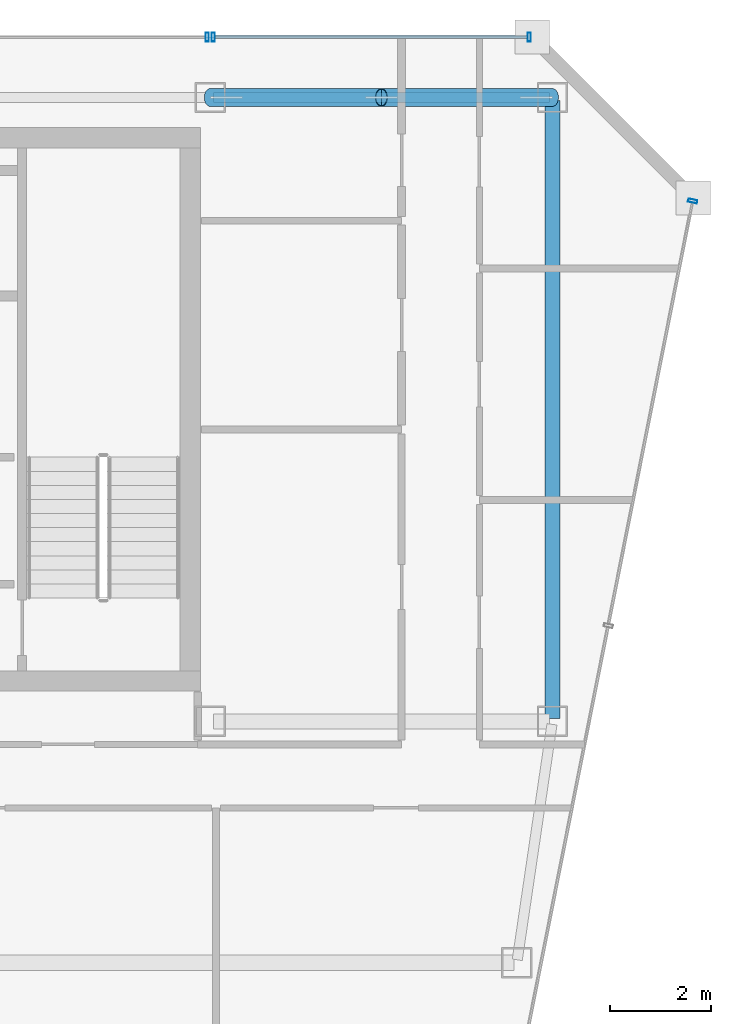
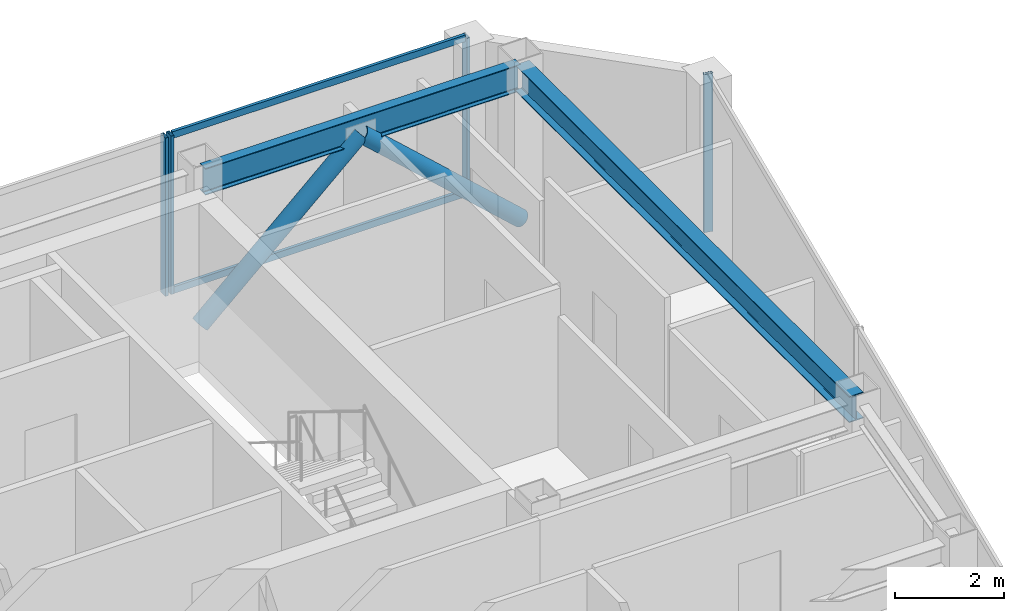
# One storey, part 16 of 24: 8 members, 2 beams, 3 elements without a shape of their own.
"""IFC4 building model written with IfcOpenShell, lengths in metres."""

import ifcopenshell
import ifcopenshell.guid

model = None  # the IFC model being written
_history = None  # IfcOwnerHistory: only IFC2X3 demands one
_inside = {}  # id of a spatial element -> (the spatial element, [elements in it])
_under = {}  # id of a project, library or spatial element -> (it, [spatial elements below it])
_declared = {}  # id of a project -> (the project, [libraries it declares])
_typed = {}  # id of a type object -> (the type object, [elements of that type])
_made_of = {}  # id of a material, layer set ... -> (it, [elements and type objects made of it])


def new_model(schema):
    """Start an empty IFC model of exactly this schema.

    Asked for "IFC4X3", IfcOpenShell would pick the latest addendum, in which some entities
    have other attributes; the version numbers below select the first issue.
    IFC2X3 requires an IfcOwnerHistory on every rooted entity: one is made here for all.
    """
    global model, _history
    if schema == "IFC4X3":
        model = ifcopenshell.file(schema_version=(4, 3, 0, 0))
    else:
        model = ifcopenshell.file(schema=schema)
    _inside.clear()
    _under.clear()
    _declared.clear()
    _typed.clear()
    _made_of.clear()
    _history = None
    if model.schema == "IFC2X3":
        org = make("IfcOrganization", Name="unknown")
        user = make(
            "IfcPersonAndOrganization",
            ThePerson=make("IfcPerson", FamilyName="unknown"),
            TheOrganization=org,
        )
        app = make(
            "IfcApplication",
            ApplicationDeveloper=org,
            Version="unknown",
            ApplicationFullName="unknown",
            ApplicationIdentifier="unknown",
        )
        _history = make(
            "IfcOwnerHistory",
            OwningUser=user,
            OwningApplication=app,
            ChangeAction="ADDED",
            CreationDate=0,
        )
    return model


def make(cls, **values):
    """One entity of the class cls with the attributes given. An attribute that is None is left unset."""
    return model.create_entity(
        cls, **{name: value for name, value in values.items() if value is not None}
    )


def rooted(cls, **values):
    """An entity with a GlobalId (a new one), such as an element, a storey or a relation."""
    return make(cls, GlobalId=ifcopenshell.guid.new(), OwnerHistory=_history, **values)


def si_unit(unit_type, name, prefix=None):
    """IfcSIUnit, for example si_unit("LENGTHUNIT", "METRE", prefix="MILLI")."""
    return make("IfcSIUnit", UnitType=unit_type, Prefix=prefix, Name=name)


def assignment(units):
    """IfcUnitAssignment: the units of a project."""
    return None if units is None else make("IfcUnitAssignment", Units=units)


def point(xyz):
    """IfcCartesianPoint."""
    return None if xyz is None else make("IfcCartesianPoint", Coordinates=xyz)


def direction(xyz):
    """IfcDirection."""
    return None if xyz is None else make("IfcDirection", DirectionRatios=xyz)


def frame(location, z_axis=None, x_axis=None):
    """IfcAxis2Placement3D, a coordinate frame: its origin and axes. An axis left out is left unset."""
    return make(
        "IfcAxis2Placement3D",
        Location=point(location),
        Axis=direction(z_axis),
        RefDirection=direction(x_axis),
    )


def frame_2d(location, x_axis=None):
    """IfcAxis2Placement2D, a coordinate frame in the plane: its origin and x axis."""
    return make(
        "IfcAxis2Placement2D", Location=point(location), RefDirection=direction(x_axis)
    )


def origin():
    """The frame at (0, 0, 0) with its axes left unset."""
    return frame((0.0, 0.0, 0.0))


def origin_2d():
    """The frame at (0, 0) in the plane with its x axis left unset."""
    return frame_2d((0.0, 0.0))


def place(relative_to, where):
    """IfcLocalPlacement: puts the frame where relative to a parent placement (None: the world)."""
    return make(
        "IfcLocalPlacement", PlacementRelTo=relative_to, RelativePlacement=where
    )


def context(
    kind, dimensions, precision=None, world=None, true_north=None, identifier=None
):
    """IfcGeometricRepresentationContext, for example the 3D "Model" context."""
    return make(
        "IfcGeometricRepresentationContext",
        ContextIdentifier=identifier,
        ContextType=kind,
        CoordinateSpaceDimension=dimensions,
        Precision=precision,
        WorldCoordinateSystem=world,
        TrueNorth=true_north,
    )


def subcontext(parent, identifier, kind, view, scale=None):
    """IfcGeometricRepresentationSubContext, for example "Body" below "Model"."""
    return make(
        "IfcGeometricRepresentationSubContext",
        ContextIdentifier=identifier,
        ContextType=kind,
        ParentContext=parent,
        TargetScale=scale,
        TargetView=view,
    )


def project(units=None, contexts=None):
    """IfcProject with its units and contexts."""
    return rooted(
        "IfcProject",
        Name="project",
        RepresentationContexts=contexts,
        UnitsInContext=assignment(units),
    )


def spatial(cls, under=None, at=None, **own):
    """A site, building, storey or space (cls), placed at a placement, below another one or the project."""
    s = rooted(cls, ObjectPlacement=at, **own)
    if under is not None:
        _under.setdefault(under.id(), (under, []))[1].append(s)
    return s


def profile(cls, at=None, kind="AREA", **sizes):
    """A parametric profile (cls). Its sizes go by their IFC names, for example OverallWidth=200.0."""
    return make(cls, ProfileType=kind, Position=at, **sizes)


def hollow_rectangle(**sizes):
    """IfcRectangleHollowProfileDef."""
    return profile("IfcRectangleHollowProfileDef", **sizes)


def hollow_circle(**sizes):
    """IfcCircleHollowProfileDef."""
    return profile("IfcCircleHollowProfileDef", **sizes)


def i_section(**sizes):
    """IfcIShapeProfileDef."""
    return profile("IfcIShapeProfileDef", **sizes)


def extrude(swept, where, along, depth):
    """IfcExtrudedAreaSolid: the profile swept, set in the frame where, extruded along a direction by depth."""
    return make(
        "IfcExtrudedAreaSolid",
        SweptArea=swept,
        Position=where,
        ExtrudedDirection=direction(along),
        Depth=depth,
    )


def shape(context_of_items, identifier, shape_type, items):
    """IfcShapeRepresentation: the items that make up one representation, for example the "Body"."""
    return make(
        "IfcShapeRepresentation",
        ContextOfItems=context_of_items,
        RepresentationIdentifier=identifier,
        RepresentationType=shape_type,
        Items=items,
    )


def material(Name=None, Category=None):
    """IfcMaterial."""
    return make("IfcMaterial", Name=Name, Category=Category)


def material_profile(
    of_material, cross_section, Name=None, Category=None, Priority=None
):
    """IfcMaterialProfile: a cross section and its material."""
    return make(
        "IfcMaterialProfile",
        Name=Name,
        Material=of_material,
        Profile=cross_section,
        Priority=Priority,
        Category=Category,
    )


def profile_set(profiles, Name=None, composite=None):
    """IfcMaterialProfileSet."""
    return make(
        "IfcMaterialProfileSet",
        Name=Name,
        MaterialProfiles=profiles,
        CompositeProfile=composite,
    )


def made_of(thing, what):
    """Note that an element or type object is made of a material, layer set ...; save() writes the relation."""
    if what is not None:
        _made_of.setdefault(what.id(), (what, []))[1].append(thing)
    return thing


def type_object(cls, material=None, **own):
    """A type object (cls), such as IfcWallType, which elements share."""
    return made_of(rooted(cls, **own), material)


def element(
    cls,
    number,
    at=None,
    inside=None,
    cuts=None,
    type_object=None,
    material=None,
    context=None,
    identifier="Body",
    shape_type=None,
    held_by="IfcProductDefinitionShape",
    body=None,
    shapes=None,
    **own,
):
    """One element of the class cls, such as IfcWall. Its Tag is "e" and its number.

    at: its placement. inside: the storey or other place that contains it. cuts: it is an
    opening in that element (IfcRelVoidsElement). A single representation is given by context,
    identifier, shape_type and body (its items); several are given by shapes. held_by: the class
    of the entity that holds the representations. save() writes the other relations.
    """
    e = rooted(cls, Tag="e%d" % number, ObjectPlacement=at, **own)
    if body is not None:
        shapes = [shape(context, identifier, shape_type, body)]
    if shapes is not None:
        e.Representation = make(held_by, Representations=shapes)
    if inside is not None:
        _inside.setdefault(inside.id(), (inside, []))[1].append(e)
    if cuts is not None:
        rooted(
            "IfcRelVoidsElement", RelatingBuildingElement=cuts, RelatedOpeningElement=e
        )
    if type_object is not None:
        _typed.setdefault(type_object.id(), (type_object, []))[1].append(e)
    return made_of(e, material)


def aggregate(whole, parts):
    """IfcRelAggregates: a whole, such as a stair, and the parts it consists of."""
    return rooted("IfcRelAggregates", RelatingObject=whole, RelatedObjects=parts)


def save(model, path):
    """Write the relations noted so far, then the file.

    IfcRelAggregates (storeys below a building ...), IfcRelContainedInSpatialStructure (elements
    in a storey), IfcRelDefinesByType, IfcRelAssociatesMaterial and IfcRelDeclares: one each for
    every whole, place, type object, material and project.
    """
    for whole, parts in _under.values():
        aggregate(whole, parts)
    for where, things in _inside.values():
        rooted(
            "IfcRelContainedInSpatialStructure",
            RelatedElements=things,
            RelatingStructure=where,
        )
    for kind, things in _typed.values():
        rooted("IfcRelDefinesByType", RelatedObjects=things, RelatingType=kind)
    for what, things in _made_of.values():
        rooted("IfcRelAssociatesMaterial", RelatedObjects=things, RelatingMaterial=what)
    for by, libraries in _declared.values():
        rooted("IfcRelDeclares", RelatingContext=by, RelatedDefinitions=libraries)
    model.write(path)


model = new_model("IFC4")

# Units and contexts
model_context = context("Model", 3, precision=1e-05, world=origin(), true_north=direction((0.0, 1.0)))
body_context = subcontext(model_context, "Body", "Model", "MODEL_VIEW")
ifc_project = project(units=[si_unit("LENGTHUNIT", "METRE"), si_unit("AREAUNIT", "SQUARE_METRE"), si_unit("VOLUMEUNIT", "CUBIC_METRE"), si_unit("PLANEANGLEUNIT", "RADIAN"), si_unit("MASSUNIT", "GRAM", prefix="KILO")], contexts=[model_context])

# Site, building, storey
site_placement = place(None, origin())
site = spatial("IfcSite", under=ifc_project, at=site_placement, CompositionType="ELEMENT")
building_placement = place(site_placement, origin())
building = spatial("IfcBuilding", under=site, at=building_placement, Name="Saevonmaru Cultural Tower", CompositionType="ELEMENT")
storey_placement = place(building_placement, frame((0.0, 0.0, 299.0)))
storey = spatial("IfcBuildingStorey", under=building, at=storey_placement, Name="L71", CompositionType="ELEMENT", Elevation=299.0)

# Beams
ifc_material_1 = material(Name="Steel SM355", Category="steel")
ifc_material_profile_1 = material_profile(ifc_material_1, i_section(OverallWidth=0.300048828125, OverallDepth=0.587890625, WebThickness=0.011962890625, FlangeThickness=0.02001953125, FilletRadius=0.02392578125, at=origin_2d()), Name="H-588x300x12x20")
ifc_profile_set_1 = profile_set([ifc_material_profile_1], Name="Steel SM355")
beam_type_1 = type_object("IfcBeamType", Name="BM-G-H588", PredefinedType="BEAM", material=ifc_profile_set_1)
beam_1_placement = place(storey_placement, frame((53.199951171875, 54.739990234375, 3.256103515625), z_axis=(0.0, -1.0, 0.0), x_axis=(1.0, 0.0, 0.0)))
element("IfcBeam", 1, at=beam_1_placement, inside=storey, type_object=beam_type_1, Name="L71 Spine Transverse Girder E", PredefinedType="BEAM", context=body_context, shape_type="SweptSolid", body=[
    extrude(i_section(OverallWidth=0.300048828125, OverallDepth=0.587890625, WebThickness=0.011962890625, FlangeThickness=0.02001953125, FilletRadius=0.02392578125, at=origin_2d()), origin(), (0.0, 0.0, 1.0), 12.280029296875),
])
ifc_material_profile_2 = material_profile(ifc_material_1, i_section(OverallWidth=0.199951171875, OverallDepth=0.60009765625, WebThickness=0.010986328125, FlangeThickness=0.01708984375, FilletRadius=0.02197265625, at=origin_2d()), Name="H-600x200x11x17")
ifc_profile_set_2 = profile_set([ifc_material_profile_2], Name="Steel SM355")
beam_type_2 = type_object("IfcBeamType", Name="BM-SP-H600", PredefinedType="SPANDREL", material=ifc_profile_set_2)
beam_2_placement = place(storey_placement, frame((46.4599609375, 54.800048828125, 3.25), z_axis=(1.0, 0.0, 0.0), x_axis=(0.0, 1.0, 0.0)))
element("IfcBeam", 2, at=beam_2_placement, inside=storey, type_object=beam_type_2, Name="L71 North Spine Girder 5", PredefinedType="SPANDREL", context=body_context, shape_type="SweptSolid", body=[
    extrude(i_section(OverallWidth=0.199951171875, OverallDepth=0.60009765625, WebThickness=0.010986328125, FlangeThickness=0.01708984375, FilletRadius=0.02197265625, at=origin_2d()), origin(), (0.0, 0.0, 1.0), 6.679931640625),
])

# Members
ifc_material_profile_3 = material_profile(ifc_material_1, hollow_circle(Radius=0.177734375, WallThickness=0.01611328125, at=origin_2d()), Name="CHS-355.6x16")
ifc_profile_set_3 = profile_set([ifc_material_profile_3], Name="Steel SM355")
member_type_1 = type_object("IfcMemberType", Name="MB-PBR-CHS356", PredefinedType="BRACE", material=ifc_profile_set_3)
member_1_placement = place(storey_placement, frame((46.39990234375, 54.800048828125, 0.02001953125), z_axis=(0.738959728749, 0.0, 0.673749596873), x_axis=(0.0, 1.0, 0.0)))
element("IfcMember", 3, at=member_1_placement, inside=storey, type_object=member_type_1, Name="L71 Perimeter Braced-Tube Diagonal EN1", PredefinedType="BRACE", context=body_context, shape_type="SweptSolid", body=[
    extrude(hollow_circle(Radius=0.177734375, WallThickness=0.01611328125, at=origin_2d()), origin(), (0.0, 0.0, 1.0), 4.601318359375),
])
member_2_placement = place(storey_placement, frame((53.199951171875, 54.800048828125, 0.02001953125), z_axis=(-0.738935641579, 0.0, 0.673776014417), x_axis=(0.0, -1.0, 0.0)))
element("IfcMember", 4, at=member_2_placement, inside=storey, type_object=member_type_1, Name="L71 Perimeter Braced-Tube Diagonal EN2", PredefinedType="BRACE", context=body_context, shape_type="SweptSolid", body=[
    extrude(hollow_circle(Radius=0.177734375, WallThickness=0.01611328125, at=origin_2d()), origin(), (0.0, 0.0, 1.0), 4.60107421875),
])

# Curtain wall, member
ifc_material_2 = material(Name="Satin Bronze Anodised Aluminium", Category="aluminium")
curtain_wall_type = type_object("IfcCurtainWallType", Name="CW-TYP-B", PredefinedType="NOTDEFINED", material=ifc_material_2)
curtain_wall_1_placement = place(storey_placement, origin())
curtain_wall_1 = element("IfcCurtainWall", 5, at=curtain_wall_1_placement, inside=storey, type_object=curtain_wall_type, Name="L71 Unitised Curtain Wall E8", PredefinedType="NOTDEFINED")
ifc_material_profile_4 = material_profile(ifc_material_2, hollow_rectangle(XDim=0.06494140625, YDim=0.179931640625, WallThickness=0.00390625, at=origin_2d()), Name="ALU-MULL-180x65x4")
ifc_profile_set_4 = profile_set([ifc_material_profile_4], Name="Satin Bronze Anodised Aluminium")
member_type_2 = type_object("IfcMemberType", Name="ML-CW-180x65", PredefinedType="MULLION", material=ifc_profile_set_4)
member_3_placement = place(storey_placement, frame((55.98828125, 52.7412109375, 0.0), z_axis=(0.0, 0.0, 1.0), x_axis=(0.195005484813, 0.980802151758, 0.0)))
member_3 = element("IfcMember", 6, at=member_3_placement, type_object=member_type_2, Name="CW-TW-L71-E8 mullion 3", PredefinedType="MULLION", context=body_context, shape_type="SweptSolid", body=[
    extrude(hollow_rectangle(XDim=0.06494140625, YDim=0.179931640625, WallThickness=0.00390625, at=origin_2d()), origin(), (0.0, 0.0, 1.0), 3.550048828125),
])
aggregate(curtain_wall_1, [member_3])

# Curtain wall, members
curtain_wall_2_placement = place(storey_placement, origin())
curtain_wall_2 = element("IfcCurtainWall", 7, at=curtain_wall_2_placement, inside=storey, type_object=curtain_wall_type, Name="L71 East Braced Bay Spandrel Curtain Wall E10A", PredefinedType="NOTDEFINED")
member_4_placement = place(storey_placement, frame((52.739990234375, 56.0, 0.0), z_axis=(0.0, 0.0, 1.0), x_axis=(-1.0, 0.0, 0.0)))
member_4 = element("IfcMember", 8, at=member_4_placement, type_object=member_type_2, Name="CW-TW-L71-E10A mullion 1", PredefinedType="MULLION", context=body_context, shape_type="SweptSolid", body=[
    extrude(hollow_rectangle(XDim=0.06494140625, YDim=0.179931640625, WallThickness=0.00390625, at=origin_2d()), origin(), (0.0, 0.0, 1.0), 3.550048828125),
])
member_5_placement = place(storey_placement, frame((46.4599609375, 56.0, 0.0), z_axis=(0.0, 0.0, 1.0), x_axis=(-1.0, 0.0, 0.0)))
member_5 = element("IfcMember", 9, at=member_5_placement, type_object=member_type_2, Name="CW-TW-L71-E10A mullion 2", PredefinedType="MULLION", context=body_context, shape_type="SweptSolid", body=[
    extrude(hollow_rectangle(XDim=0.06494140625, YDim=0.179931640625, WallThickness=0.00390625, at=origin_2d()), origin(), (0.0, 0.0, 1.0), 3.550048828125),
])

# Curtain wall, member
curtain_wall_3_placement = place(storey_placement, origin())
curtain_wall_3 = element("IfcCurtainWall", 10, at=curtain_wall_3_placement, inside=storey, type_object=curtain_wall_type, Name="L71 North Spine Unitised Curtain Wall E10B", PredefinedType="NOTDEFINED")
member_6_placement = place(storey_placement, frame((46.340087890625, 56.0, 0.0), z_axis=(0.0, 0.0, 1.0), x_axis=(-1.0, 0.0, 0.0)))
member_6 = element("IfcMember", 11, at=member_6_placement, type_object=member_type_2, Name="CW-TW-L71-E10B mullion 1", PredefinedType="MULLION", context=body_context, shape_type="SweptSolid", body=[
    extrude(hollow_rectangle(XDim=0.06494140625, YDim=0.179931640625, WallThickness=0.00390625, at=origin_2d()), origin(), (0.0, 0.0, 1.0), 3.550048828125),
])
aggregate(curtain_wall_3, [member_6])

# Member
ifc_material_profile_5 = material_profile(ifc_material_2, hollow_rectangle(XDim=0.06494140625, YDim=0.14990234375, WallThickness=0.00390625, at=origin_2d()), Name="ALU-TRAN-150x65x4")
ifc_profile_set_5 = profile_set([ifc_material_profile_5], Name="Satin Bronze Anodised Aluminium")
member_type_3 = type_object("IfcMemberType", Name="TR-CW-150x65", PredefinedType="USERDEFINED", material=ifc_profile_set_5)
member_7_placement = place(storey_placement, frame((52.70751953125, 56.0, 0.032470703125), z_axis=(-1.0, 0.0, 0.0), x_axis=(0.0, -1.0, 0.0)))
member_7 = element("IfcMember", 12, at=member_7_placement, type_object=member_type_3, Name="CW-TW-L71-E10A transom 1.1", ObjectType="TRANSOM", PredefinedType="USERDEFINED", context=body_context, shape_type="SweptSolid", body=[
    extrude(hollow_rectangle(XDim=0.06494140625, YDim=0.14990234375, WallThickness=0.00390625, at=origin_2d()), origin(), (0.0, 0.0, 1.0), 6.215087890625),
])

member_8_placement = place(storey_placement, frame((52.70751953125, 56.0, 3.517578125), z_axis=(-1.0, 0.0, 0.0), x_axis=(0.0, -1.0, 0.0)))
member_8 = element("IfcMember", 13, at=member_8_placement, type_object=member_type_3, Name="CW-TW-L71-E10A transom 1.2", ObjectType="TRANSOM", PredefinedType="USERDEFINED", context=body_context, shape_type="SweptSolid", body=[
    extrude(hollow_rectangle(XDim=0.06494140625, YDim=0.14990234375, WallThickness=0.00390625, at=origin_2d()), origin(), (0.0, 0.0, 1.0), 6.215087890625),
])

aggregate(curtain_wall_2, [member_4, member_5, member_7, member_8])

save(model, "model.ifc")
